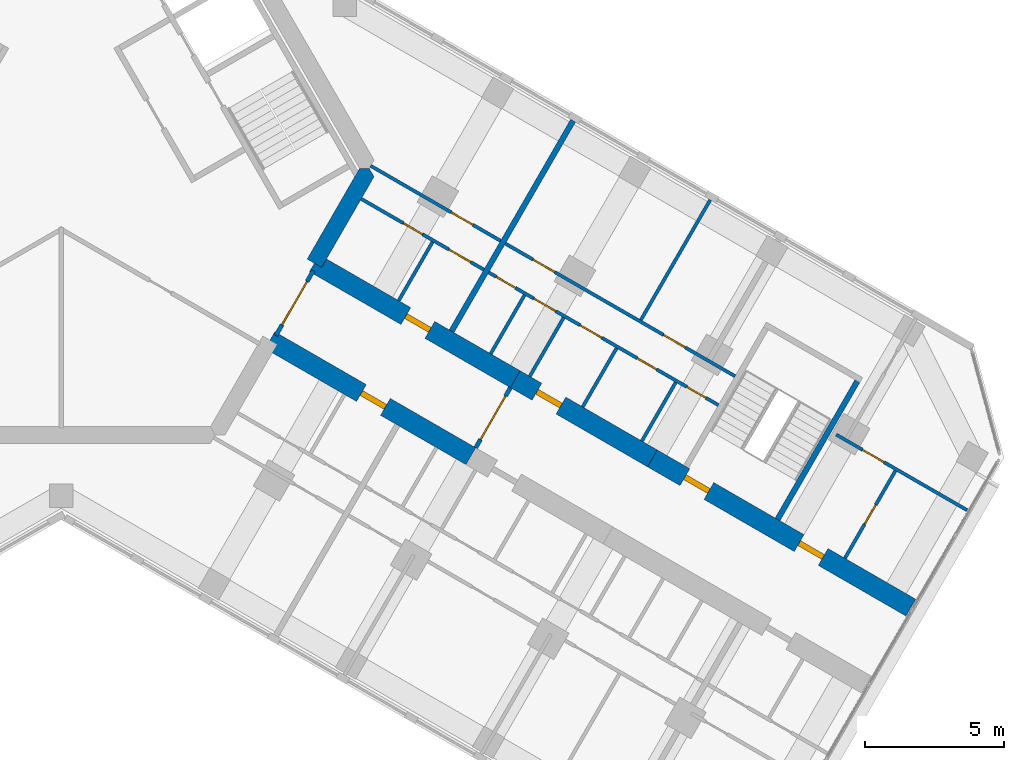
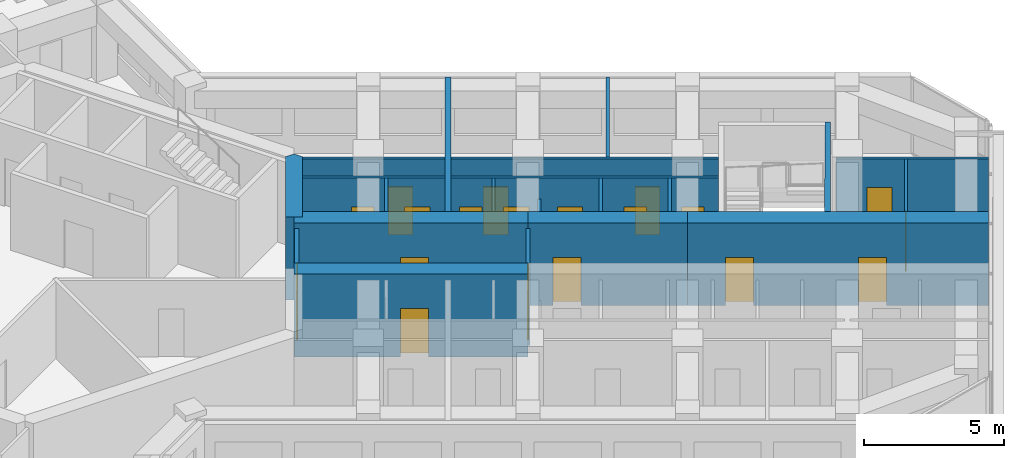
# One storey, part 12 of 16: 21 walls, 19 doors, 19 openings.
"""IFC4 building model written with IfcOpenShell, lengths in metres."""

from ifc_helpers import new_model, si_unit, direction, frame, frame_2d, origin, place, context, subcontext, project, spatial, polyline, rectangle, outline, extrude, material, layer, layer_set, type_object, element, fill, save


model = new_model("IFC4")

# Units and contexts
model_context = context("Model", 3, precision=1e-05, world=origin(), true_north=direction((0.0, 1.0)))
body_context = subcontext(model_context, "Body", "Model", "MODEL_VIEW")
ifc_project = project(units=[si_unit("LENGTHUNIT", "METRE"), si_unit("AREAUNIT", "SQUARE_METRE"), si_unit("VOLUMEUNIT", "CUBIC_METRE"), si_unit("PLANEANGLEUNIT", "RADIAN"), si_unit("MASSUNIT", "GRAM", prefix="KILO")], contexts=[model_context])

# Site, building, storey
site_placement = place(None, origin())
site = spatial("IfcSite", under=ifc_project, at=site_placement, CompositionType="ELEMENT")
building_placement = place(site_placement, origin())
building = spatial("IfcBuilding", under=site, at=building_placement, Name="Kosmar Iwan School Tower", CompositionType="ELEMENT")
storey_placement = place(building_placement, frame((0.0, 0.0, 246.0)))
storey = spatial("IfcBuildingStorey", under=building, at=storey_placement, Name="L62", CompositionType="ELEMENT", Elevation=246.0)

# Wall
ifc_material_1 = material(Name="Concrete C50/60", Category="concrete")
ifc_layer_1 = layer(ifc_material_1, 0.60009765625)
ifc_layer_set_1 = layer_set([ifc_layer_1], Name="Core wall 600")
wall_type_1 = type_object("IfcWallType", Name="Core wall 600", PredefinedType="SHEAR", material=ifc_layer_set_1)
wall_1_placement = place(storey_placement, origin())
element("IfcWall", 1, at=wall_1_placement, inside=storey, type_object=wall_type_1, Name="Core wall F330b", PredefinedType="SHEAR", context=body_context, shape_type="SweptSolid", body=[
    extrude(outline(polyline([(9.37353515625, -3.564453125), (11.25830078125, -0.300048828125), (11.085205078125, 0.0), (10.73876953125, 0.0), (8.85400390625, -3.264404296875), (9.37353515625, -3.564453125)])), origin(), (0.0, 0.0, 1.0), 3.60009765625),
])

# Wall, opening, door
ifc_material_2 = material(Name="Concrete C50/60", Category="concrete")
ifc_layer_2 = layer(ifc_material_2, 0.699951171875)
ifc_layer_set_2 = layer_set([ifc_layer_2], Name="Corridor buttress wall 700")
wall_type_2 = type_object("IfcWallType", Name="Corridor buttress wall 700", PredefinedType="SHEAR", material=ifc_layer_set_2)
wall_2_placement = place(storey_placement, frame((9.11376953125, -3.414306640625, 0.0), z_axis=(0.0, 0.0, 1.0), x_axis=(0.866026859388, -0.499997478812, 0.0)))
wall_2 = element("IfcWall", 2, at=wall_2_placement, inside=storey, type_object=wall_type_2, Name="Corridor wall CL", PredefinedType="SHEAR", context=body_context, shape_type="SweptSolid", body=[
    extrude(rectangle(XDim=8.35009765625, YDim=0.699951171875, at=frame_2d((4.175048828125, 0.0))), origin(), (0.0, 0.0, 1.0), 3.60009765625),
])
opening_1_placement = place(wall_2_placement, frame((3.800048828125, 0.0, 0.0)))
opening_1 = element("IfcOpeningElement", 3, at=opening_1_placement, cuts=wall_2, Name="Opening D1", PredefinedType="OPENING", context=body_context, shape_type="SweptSolid", body=[
    extrude(rectangle(XDim=1.0, YDim=2.10009765625, at=frame_2d((0.5, 1.050048828125))), frame((0.0, 0.362060546875, 0.0), z_axis=(0.0, -1.0, 0.0), x_axis=(1.0, 0.0, 0.0)), (0.0, 0.0, 1.0), 0.723876953125),
])
ifc_material_3 = material(Name="Timber fire door in steel frame", Category="steel")
door_type_1 = type_object("IfcDoorType", Name="Flat entrance door 1000x2100", OperationType="SINGLE_SWING_LEFT", PredefinedType="DOOR", material=ifc_material_3)
door_1_placement = place(opening_1_placement, origin())
door_1 = element("IfcDoor", 4, at=door_1_placement, inside=storey, type_object=door_type_1, Name="Flat L62-CL1 entrance door", OperationType="SINGLE_SWING_LEFT", OverallHeight=2.10009765625, OverallWidth=1.0, PredefinedType="DOOR", context=body_context, shape_type="SweptSolid", body=[
    extrude(rectangle(XDim=1.0, YDim=2.10009765625, at=frame_2d((0.5, 1.050048828125))), frame((0.0, 0.10009765625, 0.0), z_axis=(0.0, -1.0, 0.0), x_axis=(1.0, 0.0, 0.0)), (0.0, 0.0, 1.0), 0.199951171875),
])
fill(opening_1, door_1)

wall_3_placement = place(storey_placement, frame((16.34521484375, -7.58935546875, 0.0), z_axis=(0.0, 0.0, 1.0), x_axis=(0.866015111908, -0.50001782563, 0.0)))
wall_3 = element("IfcWall", 5, at=wall_3_placement, inside=storey, type_object=wall_type_2, Name="Corridor wall CL bay 2", PredefinedType="SHEAR", context=body_context, shape_type="SweptSolid", body=[
    extrude(rectangle(XDim=5.699951171875, YDim=0.699951171875, at=frame_2d((2.85009765625, 0.0))), origin(), (0.0, 0.0, 1.0), 3.60009765625),
])
opening_2_placement = place(wall_3_placement, frame((0.89990234375, 0.0, 0.0)))
opening_2 = element("IfcOpeningElement", 6, at=opening_2_placement, cuts=wall_3, Name="Opening D1", PredefinedType="OPENING", context=body_context, shape_type="SweptSolid", body=[
    extrude(rectangle(XDim=1.0, YDim=2.10009765625, at=frame_2d((0.5, 1.050048828125))), frame((0.0, 0.362060546875, 0.0), z_axis=(0.0, -1.0, 0.0), x_axis=(1.0, 0.0, 0.0)), (0.0, 0.0, 1.0), 0.723876953125),
])
door_2_placement = place(opening_2_placement, origin())
door_2 = element("IfcDoor", 7, at=door_2_placement, inside=storey, type_object=door_type_1, Name="Flat L62-CL2 entrance door", OperationType="SINGLE_SWING_LEFT", OverallHeight=2.10009765625, OverallWidth=1.0, PredefinedType="DOOR", context=body_context, shape_type="SweptSolid", body=[
    extrude(rectangle(XDim=1.0, YDim=2.10009765625, at=frame_2d((0.5, 1.050048828125))), frame((0.0, 0.10009765625, 0.0), z_axis=(0.0, -1.0, 0.0), x_axis=(1.0, 0.0, 0.0)), (0.0, 0.0, 1.0), 0.199951171875),
])
fill(opening_2, door_2)

# Wall, openings, doors
wall_4_placement = place(storey_placement, frame((21.281494140625, -10.439453125, 0.0), z_axis=(0.0, 0.0, 1.0), x_axis=(0.866032345022, -0.499987977232, 0.0)))
wall_4 = element("IfcWall", 8, at=wall_4_placement, inside=storey, type_object=wall_type_2, Name="Corridor wall CL bay 3", PredefinedType="SHEAR", context=body_context, shape_type="SweptSolid", body=[
    extrude(rectangle(XDim=10.744873046875, YDim=0.699951171875, at=frame_2d((5.37255859375, 0.0))), origin(), (0.0, 0.0, 1.0), 3.60009765625),
])
opening_3_placement = place(wall_4_placement, frame((6.10009765625, 0.0, 0.0)))
opening_3 = element("IfcOpeningElement", 9, at=opening_3_placement, cuts=wall_4, Name="Opening D1", PredefinedType="OPENING", context=body_context, shape_type="SweptSolid", body=[
    extrude(rectangle(XDim=1.0, YDim=2.10009765625, at=frame_2d((0.5, 1.050048828125))), frame((0.0, 0.362060546875, 0.0), z_axis=(0.0, -1.0, 0.0), x_axis=(1.0, 0.0, 0.0)), (0.0, 0.0, 1.0), 0.723876953125),
])
opening_4_placement = place(wall_4_placement, frame((1.35009765625, 0.0, 0.0)))
opening_4 = element("IfcOpeningElement", 10, at=opening_4_placement, cuts=wall_4, Name="Opening D6", PredefinedType="OPENING", context=body_context, shape_type="SweptSolid", body=[
    extrude(rectangle(XDim=1.0, YDim=2.10009765625, at=frame_2d((0.5, 1.050048828125))), frame((0.0, 0.362060546875, 0.0), z_axis=(0.0, -1.0, 0.0), x_axis=(1.0, 0.0, 0.0)), (0.0, 0.0, 1.0), 0.723876953125),
])
door_3_placement = place(opening_3_placement, origin())
door_3 = element("IfcDoor", 11, at=door_3_placement, inside=storey, type_object=door_type_1, Name="Flat L62-CL3 entrance door", OperationType="SINGLE_SWING_RIGHT", OverallHeight=2.10009765625, OverallWidth=1.0, PredefinedType="DOOR", context=body_context, shape_type="SweptSolid", body=[
    extrude(rectangle(XDim=1.0, YDim=2.10009765625, at=frame_2d((0.5, 1.050048828125))), frame((0.0, 0.10009765625, 0.0), z_axis=(0.0, -1.0, 0.0), x_axis=(1.0, 0.0, 0.0)), (0.0, 0.0, 1.0), 0.199951171875),
])
fill(opening_3, door_3)
ifc_material_4 = material(Name="Steel fire door", Category="steel")
door_type_2 = type_object("IfcDoorType", Name="Stair door 1000x2100", OperationType="SINGLE_SWING_LEFT", PredefinedType="DOOR", material=ifc_material_4)
door_4_placement = place(opening_4_placement, origin())
door_4 = element("IfcDoor", 12, at=door_4_placement, inside=storey, type_object=door_type_2, Name="Stair WS3 door L62", OperationType="SINGLE_SWING_LEFT", OverallHeight=2.10009765625, OverallWidth=1.0, PredefinedType="DOOR", context=body_context, shape_type="SweptSolid", body=[
    extrude(rectangle(XDim=1.0, YDim=2.10009765625, at=frame_2d((0.5, 1.050048828125))), frame((0.0, 0.10009765625, 0.0), z_axis=(0.0, -1.0, 0.0), x_axis=(1.0, 0.0, 0.0)), (0.0, 0.0, 1.0), 0.199951171875),
])
fill(opening_4, door_4)

# Wall, opening, door
wall_5_placement = place(storey_placement, frame((7.513916015625, -6.185546875, 0.0), z_axis=(0.0, 0.0, 1.0), x_axis=(0.866019549707, -0.500010139422, 0.0)))
wall_5 = element("IfcWall", 13, at=wall_5_placement, inside=storey, type_object=wall_type_2, Name="Corridor wall CR", PredefinedType="SHEAR", context=body_context, shape_type="SweptSolid", body=[
    extrude(rectangle(XDim=8.349853515625, YDim=0.699951171875, at=frame_2d((4.1748046875, 0.0))), origin(), (0.0, 0.0, 1.0), 3.60009765625),
])
opening_5_placement = place(wall_5_placement, frame((3.800048828125, 0.0, 0.0)))
opening_5 = element("IfcOpeningElement", 14, at=opening_5_placement, cuts=wall_5, Name="Opening D1", PredefinedType="OPENING", context=body_context, shape_type="SweptSolid", body=[
    extrude(rectangle(XDim=1.0, YDim=2.10009765625, at=frame_2d((0.5, 1.050048828125))), frame((0.0, 0.362060546875, 0.0), z_axis=(0.0, -1.0, 0.0), x_axis=(1.0, 0.0, 0.0)), (0.0, 0.0, 1.0), 0.723876953125),
])
door_5_placement = place(opening_5_placement, origin())
door_5 = element("IfcDoor", 15, at=door_5_placement, inside=storey, type_object=door_type_1, Name="Flat L62-CR1 entrance door", OperationType="SINGLE_SWING_RIGHT", OverallHeight=2.10009765625, OverallWidth=1.0, PredefinedType="DOOR", context=body_context, shape_type="SweptSolid", body=[
    extrude(rectangle(XDim=1.0, YDim=2.10009765625, at=frame_2d((0.5, 1.050048828125))), frame((0.0, 0.10009765625, 0.0), z_axis=(0.0, -1.0, 0.0), x_axis=(1.0, 0.0, 0.0)), (0.0, 0.0, 1.0), 0.199951171875),
])
fill(opening_5, door_5)

ifc_material_5 = material(Name="Gypsum board on steel studs, fire-rated", Category="steel")
ifc_layer_3 = layer(ifc_material_5, 0.14990234375)
ifc_layer_set_3 = layer_set([ifc_layer_3], Name="Corridor end wall 150")
wall_type_3 = type_object("IfcWallType", Name="Corridor end wall 150", PredefinedType="PARTITIONING", material=ifc_layer_set_3)
wall_6_placement = place(storey_placement, frame((14.920166015625, -10.0576171875, 0.0), z_axis=(0.0, 0.0, 1.0), x_axis=(0.500004234368, 0.866022959057, 0.0)))
wall_6 = element("IfcWall", 16, at=wall_6_placement, inside=storey, type_object=wall_type_3, Name="Partition L62-C-HW", PredefinedType="PARTITIONING", context=body_context, shape_type="SweptSolid", body=[
    extrude(rectangle(XDim=2.5, YDim=0.14990234375, at=frame_2d((1.25, 0.0))), origin(), (0.0, 0.0, 1.0), 3.35009765625),
])
opening_6_placement = place(wall_6_placement, frame((0.35009765625, 0.0, 0.0)))
opening_6 = element("IfcOpeningElement", 17, at=opening_6_placement, cuts=wall_6, Name="Opening D9", PredefinedType="OPENING", context=body_context, shape_type="SweptSolid", body=[
    extrude(rectangle(XDim=1.800048828125, YDim=2.10009765625, at=frame_2d((0.89990234375, 1.050048828125))), frame((0.0, 0.0869140625, 0.0), z_axis=(0.0, -1.0, 0.0), x_axis=(1.0, 0.0, 0.0)), (0.0, 0.0, 1.0), 0.173828125),
])
ifc_material_6 = material(Name="Steel framed glazed smoke door", Category="steel")
door_type_3 = type_object("IfcDoorType", Name="Corridor smoke door pair 1800x2100", OperationType="DOUBLE_DOOR_DOUBLE_SWING", PredefinedType="DOOR", material=ifc_material_6)
door_6_placement = place(opening_6_placement, origin())
door_6 = element("IfcDoor", 18, at=door_6_placement, inside=storey, type_object=door_type_3, Name="Entrance vestibule smoke doors L62-C", OperationType="DOUBLE_DOOR_DOUBLE_SWING", OverallHeight=2.10009765625, OverallWidth=1.800048828125, PredefinedType="DOOR", context=body_context, shape_type="SweptSolid", body=[
    extrude(rectangle(XDim=1.800048828125, YDim=2.10009765625, at=frame_2d((0.89990234375, 1.050048828125))), frame((0.0, 0.02490234375, 0.0), z_axis=(0.0, -1.0, 0.0), x_axis=(1.0, 0.0, 0.0)), (0.0, 0.0, 1.0), 0.050048828125),
])
fill(opening_6, door_6)

ifc_material_7 = material(Name="Steel framed glazed screen", Category="steel")
ifc_layer_4 = layer(ifc_material_7, 0.14990234375)
ifc_layer_set_4 = layer_set([ifc_layer_4], Name="Corridor screen wall 150")
wall_type_4 = type_object("IfcWallType", Name="Corridor screen wall 150", PredefinedType="PARTITIONING", material=ifc_layer_set_4)
wall_7_placement = place(storey_placement, frame((7.725341796875, -6.01904296875, 0.0), z_axis=(0.0, 0.0, 1.0), x_axis=(0.500048589285, 0.86599734893, 0.0)))
wall_7 = element("IfcWall", 19, at=wall_7_placement, inside=storey, type_object=wall_type_4, Name="Corridor screen C L62", PredefinedType="PARTITIONING", context=body_context, shape_type="SweptSolid", body=[
    extrude(rectangle(XDim=2.699951171875, YDim=0.14990234375, at=frame_2d((1.35009765625, 0.0))), origin(), (0.0, 0.0, 1.0), 3.35009765625),
])
opening_7_placement = place(wall_7_placement, frame((0.449951171875, 0.0, 0.0)))
opening_7 = element("IfcOpeningElement", 20, at=opening_7_placement, cuts=wall_7, Name="Opening D9", PredefinedType="OPENING", context=body_context, shape_type="SweptSolid", body=[
    extrude(rectangle(XDim=1.800048828125, YDim=2.10009765625, at=frame_2d((0.89990234375, 1.050048828125))), frame((0.0, 0.0869140625, 0.0), z_axis=(0.0, -1.0, 0.0), x_axis=(1.0, 0.0, 0.0)), (0.0, 0.0, 1.0), 0.173828125),
])
door_7_placement = place(opening_7_placement, origin())
door_7 = element("IfcDoor", 21, at=door_7_placement, inside=storey, type_object=door_type_3, Name="Corridor doors C L62", OperationType="DOUBLE_DOOR_DOUBLE_SWING", OverallHeight=2.10009765625, OverallWidth=1.800048828125, PredefinedType="DOOR", context=body_context, shape_type="SweptSolid", body=[
    extrude(rectangle(XDim=1.800048828125, YDim=2.10009765625, at=frame_2d((0.89990234375, 1.050048828125))), frame((0.0, 0.02490234375, 0.0), z_axis=(0.0, -1.0, 0.0), x_axis=(1.0, 0.0, 0.0)), (0.0, 0.0, 1.0), 0.050048828125),
])
fill(opening_7, door_7)

# Wall, openings, doors
ifc_material_8 = material(Name="Gypsum board on steel studs", Category="steel")
ifc_layer_5 = layer(ifc_material_8, 0.1201171875)
ifc_layer_set_5 = layer_set([ifc_layer_5], Name="Dwelling partition 120")
wall_type_5 = type_object("IfcWallType", Name="Dwelling partition 120", PredefinedType="PARTITIONING", material=ifc_layer_set_5)
wall_8_placement = place(storey_placement, frame((10.798583984375, -1.09619140625, 0.0), z_axis=(0.0, 0.0, 1.0), x_axis=(0.86602216432, -0.500005610874, 0.0)))
wall_8 = element("IfcWall", 22, at=wall_8_placement, inside=storey, type_object=wall_type_5, Name="Partition L62-CL1-W1", PredefinedType="PARTITIONING", context=body_context, shape_type="SweptSolid", body=[
    extrude(rectangle(XDim=5.10009765625, YDim=0.1201171875, at=frame_2d((2.550048828125, 0.0))), origin(), (0.0, 0.0, 1.0), 3.35009765625),
])
opening_8_placement = place(wall_8_placement, frame((1.75, 0.0, 0.0)))
opening_8 = element("IfcOpeningElement", 23, at=opening_8_placement, cuts=wall_8, Name="Opening D3", PredefinedType="OPENING", context=body_context, shape_type="SweptSolid", body=[
    extrude(rectangle(XDim=0.800048828125, YDim=2.10009765625, at=frame_2d((0.39990234375, 1.050048828125))), frame((0.0, 0.072021484375, 0.0), z_axis=(0.0, -1.0, 0.0), x_axis=(1.0, 0.0, 0.0)), (0.0, 0.0, 1.0), 0.14404296875),
])
opening_9_placement = place(wall_8_placement, frame((3.64990234375, 0.0, 0.0)))
opening_9 = element("IfcOpeningElement", 24, at=opening_9_placement, cuts=wall_8, Name="Opening D2", PredefinedType="OPENING", context=body_context, shape_type="SweptSolid", body=[
    extrude(rectangle(XDim=0.89990234375, YDim=2.10009765625, at=frame_2d((0.449951171875, 1.050048828125))), frame((0.0, 0.072021484375, 0.0), z_axis=(0.0, -1.0, 0.0), x_axis=(1.0, 0.0, 0.0)), (0.0, 0.0, 1.0), 0.14404296875),
])
ifc_material_9 = material(Name="Timber door in timber frame", Category="wood")
door_type_4 = type_object("IfcDoorType", Name="Internal door 900x2100", OperationType="SINGLE_SWING_LEFT", PredefinedType="DOOR", material=ifc_material_9)
door_8_placement = place(opening_9_placement, origin())
door_8 = element("IfcDoor", 25, at=door_8_placement, inside=storey, type_object=door_type_4, Name="Entrance hall door L62-CL1-S2", OperationType="SINGLE_SWING_RIGHT", OverallHeight=2.10009765625, OverallWidth=0.89990234375, PredefinedType="DOOR", context=body_context, shape_type="SweptSolid", body=[
    extrude(rectangle(XDim=0.89990234375, YDim=2.10009765625, at=frame_2d((0.449951171875, 1.050048828125))), frame((0.0, 0.02490234375, 0.0), z_axis=(0.0, -1.0, 0.0), x_axis=(1.0, 0.0, 0.0)), (0.0, 0.0, 1.0), 0.050048828125),
])
fill(opening_9, door_8)
ifc_material_10 = material(Name="Timber door in timber frame", Category="wood")
door_type_5 = type_object("IfcDoorType", Name="Sanitary room door 800x2100", OperationType="SINGLE_SWING_LEFT", PredefinedType="DOOR", material=ifc_material_10)
door_9_placement = place(opening_8_placement, origin())
door_9 = element("IfcDoor", 26, at=door_9_placement, inside=storey, type_object=door_type_5, Name="Bathroom door L62-CL1-S1", OperationType="SINGLE_SWING_LEFT", OverallHeight=2.10009765625, OverallWidth=0.800048828125, PredefinedType="DOOR", context=body_context, shape_type="SweptSolid", body=[
    extrude(rectangle(XDim=0.800048828125, YDim=2.10009765625, at=frame_2d((0.39990234375, 1.050048828125))), frame((0.0, 0.02490234375, 0.0), z_axis=(0.0, -1.0, 0.0), x_axis=(1.0, 0.0, 0.0)), (0.0, 0.0, 1.0), 0.050048828125),
])
fill(opening_8, door_9)

# Wall, opening, door
wall_9_placement = place(storey_placement, frame((11.138916015625, 0.093017578125, 0.0), z_axis=(0.0, 0.0, 1.0), x_axis=(0.866028230842, -0.499995103361, 0.0)))
wall_9 = element("IfcWall", 27, at=wall_9_placement, inside=storey, type_object=wall_type_5, Name="Partition L62-CL1-W2", PredefinedType="PARTITIONING", context=body_context, shape_type="SweptSolid", body=[
    extrude(rectangle(XDim=5.39990234375, YDim=0.1201171875, at=frame_2d((2.699951171875, 0.0))), origin(), (0.0, 0.0, 1.0), 3.35009765625),
])
opening_10_placement = place(wall_9_placement, frame((3.35009765625, 0.0, 0.0)))
opening_10 = element("IfcOpeningElement", 28, at=opening_10_placement, cuts=wall_9, Name="Opening D2", PredefinedType="OPENING", context=body_context, shape_type="SweptSolid", body=[
    extrude(rectangle(XDim=0.89990234375, YDim=2.10009765625, at=frame_2d((0.449951171875, 1.050048828125))), frame((0.0, 0.072021484375, 0.0), z_axis=(0.0, -1.0, 0.0), x_axis=(1.0, 0.0, 0.0)), (0.0, 0.0, 1.0), 0.14404296875),
])
door_10_placement = place(opening_10_placement, origin())
door_10 = element("IfcDoor", 29, at=door_10_placement, inside=storey, type_object=door_type_4, Name="Studio living room and kitchen door L62-CL1-F1", OperationType="SINGLE_SWING_RIGHT", OverallHeight=2.10009765625, OverallWidth=0.89990234375, PredefinedType="DOOR", context=body_context, shape_type="SweptSolid", body=[
    extrude(rectangle(XDim=0.89990234375, YDim=2.10009765625, at=frame_2d((0.449951171875, 1.050048828125))), frame((0.0, 0.02490234375, 0.0), z_axis=(0.0, -1.0, 0.0), x_axis=(1.0, 0.0, 0.0)), (0.0, 0.0, 1.0), 0.050048828125),
])
fill(opening_10, door_10)

# Wall
wall_10_placement = place(storey_placement, frame((12.146728515625, -4.76123046875, 0.0), z_axis=(0.0, 0.0, 1.0), x_axis=(0.500002508028, 0.866023955769, 0.0)))
element("IfcWall", 30, at=wall_10_placement, inside=storey, type_object=wall_type_5, Name="Partition L62-CL1-Y1", PredefinedType="PARTITIONING", context=body_context, shape_type="SweptSolid", body=[
    extrude(rectangle(XDim=2.43994140625, YDim=0.1201171875, at=frame_2d((1.219970703125, 0.0))), origin(), (0.0, 0.0, 1.0), 3.35009765625),
])

# Wall, openings, doors
wall_11_placement = place(storey_placement, frame((15.388671875, -3.74609375, 0.0), z_axis=(0.0, 0.0, 1.0), x_axis=(0.866017851049, -0.500013081493, 0.0)))
wall_11 = element("IfcWall", 31, at=wall_11_placement, inside=storey, type_object=wall_type_5, Name="Partition L62-CL2-W1", PredefinedType="PARTITIONING", context=body_context, shape_type="SweptSolid", body=[
    extrude(rectangle(XDim=9.550048828125, YDim=0.1201171875, at=frame_2d((4.77490234375, 0.0))), origin(), (0.0, 0.0, 1.0), 3.35009765625),
])
opening_11_placement = place(wall_11_placement, frame((0.3125, 0.0, 0.0)))
opening_11 = element("IfcOpeningElement", 32, at=opening_11_placement, cuts=wall_11, Name="Opening D3", PredefinedType="OPENING", context=body_context, shape_type="SweptSolid", body=[
    extrude(rectangle(XDim=0.800048828125, YDim=2.10009765625, at=frame_2d((0.39990234375, 1.050048828125))), frame((0.0, 0.072021484375, 0.0), z_axis=(0.0, -1.0, 0.0), x_axis=(1.0, 0.0, 0.0)), (0.0, 0.0, 1.0), 0.14404296875),
])
opening_12_placement = place(wall_11_placement, frame((1.887451171875, 0.0, 0.0)))
opening_12 = element("IfcOpeningElement", 33, at=opening_12_placement, cuts=wall_11, Name="Opening D2", PredefinedType="OPENING", context=body_context, shape_type="SweptSolid", body=[
    extrude(rectangle(XDim=0.89990234375, YDim=2.10009765625, at=frame_2d((0.449951171875, 1.050048828125))), frame((0.0, 0.072021484375, 0.0), z_axis=(0.0, -1.0, 0.0), x_axis=(1.0, 0.0, 0.0)), (0.0, 0.0, 1.0), 0.14404296875),
])
opening_13_placement = place(wall_11_placement, frame((3.800048828125, 0.0, 0.0)))
opening_13 = element("IfcOpeningElement", 34, at=opening_13_placement, cuts=wall_11, Name="Opening D2", PredefinedType="OPENING", context=body_context, shape_type="SweptSolid", body=[
    extrude(rectangle(XDim=0.89990234375, YDim=2.10009765625, at=frame_2d((0.449951171875, 1.050048828125))), frame((0.0, 0.072021484375, 0.0), z_axis=(0.0, -1.0, 0.0), x_axis=(1.0, 0.0, 0.0)), (0.0, 0.0, 1.0), 0.14404296875),
])
opening_14_placement = place(wall_11_placement, frame((6.179931640625, 0.0, 0.0)))
opening_14 = element("IfcOpeningElement", 35, at=opening_14_placement, cuts=wall_11, Name="Opening D3", PredefinedType="OPENING", context=body_context, shape_type="SweptSolid", body=[
    extrude(rectangle(XDim=0.800048828125, YDim=2.10009765625, at=frame_2d((0.39990234375, 1.050048828125))), frame((0.0, 0.072021484375, 0.0), z_axis=(0.0, -1.0, 0.0), x_axis=(1.0, 0.0, 0.0)), (0.0, 0.0, 1.0), 0.14404296875),
])
opening_15_placement = place(wall_11_placement, frame((8.22998046875, 0.0, 0.0)))
opening_15 = element("IfcOpeningElement", 36, at=opening_15_placement, cuts=wall_11, Name="Opening D3", PredefinedType="OPENING", context=body_context, shape_type="SweptSolid", body=[
    extrude(rectangle(XDim=0.800048828125, YDim=2.10009765625, at=frame_2d((0.39990234375, 1.050048828125))), frame((0.0, 0.072021484375, 0.0), z_axis=(0.0, -1.0, 0.0), x_axis=(1.0, 0.0, 0.0)), (0.0, 0.0, 1.0), 0.14404296875),
])
door_11_placement = place(opening_12_placement, origin())
door_11 = element("IfcDoor", 37, at=door_11_placement, inside=storey, type_object=door_type_4, Name="Pantry door L62-CL2-S2", OperationType="SINGLE_SWING_LEFT", OverallHeight=2.10009765625, OverallWidth=0.89990234375, PredefinedType="DOOR", context=body_context, shape_type="SweptSolid", body=[
    extrude(rectangle(XDim=0.89990234375, YDim=2.10009765625, at=frame_2d((0.449951171875, 1.050048828125))), frame((0.0, 0.02490234375, 0.0), z_axis=(0.0, -1.0, 0.0), x_axis=(1.0, 0.0, 0.0)), (0.0, 0.0, 1.0), 0.050048828125),
])
fill(opening_12, door_11)
door_12_placement = place(opening_13_placement, origin())
door_12 = element("IfcDoor", 38, at=door_12_placement, inside=storey, type_object=door_type_4, Name="Entrance hall door L62-CL2-S3", OperationType="SINGLE_SWING_LEFT", OverallHeight=2.10009765625, OverallWidth=0.89990234375, PredefinedType="DOOR", context=body_context, shape_type="SweptSolid", body=[
    extrude(rectangle(XDim=0.89990234375, YDim=2.10009765625, at=frame_2d((0.449951171875, 1.050048828125))), frame((0.0, 0.02490234375, 0.0), z_axis=(0.0, -1.0, 0.0), x_axis=(1.0, 0.0, 0.0)), (0.0, 0.0, 1.0), 0.050048828125),
])
fill(opening_13, door_12)
door_13_placement = place(opening_11_placement, origin())
door_13 = element("IfcDoor", 39, at=door_13_placement, inside=storey, type_object=door_type_5, Name="Store door L62-CL2-S1", OperationType="SINGLE_SWING_LEFT", OverallHeight=2.10009765625, OverallWidth=0.800048828125, PredefinedType="DOOR", context=body_context, shape_type="SweptSolid", body=[
    extrude(rectangle(XDim=0.800048828125, YDim=2.10009765625, at=frame_2d((0.39990234375, 1.050048828125))), frame((0.0, 0.02490234375, 0.0), z_axis=(0.0, -1.0, 0.0), x_axis=(1.0, 0.0, 0.0)), (0.0, 0.0, 1.0), 0.050048828125),
])
fill(opening_11, door_13)
door_14_placement = place(opening_14_placement, origin())
door_14 = element("IfcDoor", 40, at=door_14_placement, inside=storey, type_object=door_type_5, Name="Bathroom door L62-CL2-S4", OperationType="SINGLE_SWING_RIGHT", OverallHeight=2.10009765625, OverallWidth=0.800048828125, PredefinedType="DOOR", context=body_context, shape_type="SweptSolid", body=[
    extrude(rectangle(XDim=0.800048828125, YDim=2.10009765625, at=frame_2d((0.39990234375, 1.050048828125))), frame((0.0, 0.02490234375, 0.0), z_axis=(0.0, -1.0, 0.0), x_axis=(1.0, 0.0, 0.0)), (0.0, 0.0, 1.0), 0.050048828125),
])
fill(opening_14, door_14)
door_15_placement = place(opening_15_placement, origin())
door_15 = element("IfcDoor", 41, at=door_15_placement, inside=storey, type_object=door_type_5, Name="WC door L62-CL2-S5", OperationType="SINGLE_SWING_RIGHT", OverallHeight=2.10009765625, OverallWidth=0.800048828125, PredefinedType="DOOR", context=body_context, shape_type="SweptSolid", body=[
    extrude(rectangle(XDim=0.800048828125, YDim=2.10009765625, at=frame_2d((0.39990234375, 1.050048828125))), frame((0.0, 0.02490234375, 0.0), z_axis=(0.0, -1.0, 0.0), x_axis=(1.0, 0.0, 0.0)), (0.0, 0.0, 1.0), 0.050048828125),
])
fill(opening_15, door_15)

wall_12_placement = place(storey_placement, frame((15.988525390625, -2.70703125, 0.0), z_axis=(0.0, 0.0, 1.0), x_axis=(0.866028920859, -0.499993908199, 0.0)))
wall_12 = element("IfcWall", 42, at=wall_12_placement, inside=storey, type_object=wall_type_5, Name="Partition L62-CL2-W2", PredefinedType="PARTITIONING", context=body_context, shape_type="SweptSolid", body=[
    extrude(rectangle(XDim=9.5498046875, YDim=0.1201171875, at=frame_2d((4.77490234375, 0.0))), origin(), (0.0, 0.0, 1.0), 3.35009765625),
])
opening_16_placement = place(wall_12_placement, frame((1.14990234375, 0.0, 0.0)))
opening_16 = element("IfcOpeningElement", 43, at=opening_16_placement, cuts=wall_12, Name="Opening D2", PredefinedType="OPENING", context=body_context, shape_type="SweptSolid", body=[
    extrude(rectangle(XDim=0.89990234375, YDim=2.10009765625, at=frame_2d((0.449951171875, 1.050048828125))), frame((0.0, 0.072021484375, 0.0), z_axis=(0.0, -1.0, 0.0), x_axis=(1.0, 0.0, 0.0)), (0.0, 0.0, 1.0), 0.14404296875),
])
opening_17_placement = place(wall_12_placement, frame((6.574951171875, 0.0, 0.0)))
opening_17 = element("IfcOpeningElement", 44, at=opening_17_placement, cuts=wall_12, Name="Opening D2", PredefinedType="OPENING", context=body_context, shape_type="SweptSolid", body=[
    extrude(rectangle(XDim=0.89990234375, YDim=2.10009765625, at=frame_2d((0.449951171875, 1.050048828125))), frame((0.0, 0.072021484375, 0.0), z_axis=(0.0, -1.0, 0.0), x_axis=(1.0, 0.0, 0.0)), (0.0, 0.0, 1.0), 0.14404296875),
])
door_16_placement = place(opening_16_placement, origin())
door_16 = element("IfcDoor", 45, at=door_16_placement, inside=storey, type_object=door_type_4, Name="Living room and kitchen door L62-CL2-F1", OperationType="SINGLE_SWING_LEFT", OverallHeight=2.10009765625, OverallWidth=0.89990234375, PredefinedType="DOOR", context=body_context, shape_type="SweptSolid", body=[
    extrude(rectangle(XDim=0.89990234375, YDim=2.10009765625, at=frame_2d((0.449951171875, 1.050048828125))), frame((0.0, 0.02490234375, 0.0), z_axis=(0.0, -1.0, 0.0), x_axis=(1.0, 0.0, 0.0)), (0.0, 0.0, 1.0), 0.050048828125),
])
fill(opening_16, door_16)
door_17_placement = place(opening_17_placement, origin())
door_17 = element("IfcDoor", 46, at=door_17_placement, inside=storey, type_object=door_type_4, Name="Bedroom 1 door L62-CL2-F2", OperationType="SINGLE_SWING_LEFT", OverallHeight=2.10009765625, OverallWidth=0.89990234375, PredefinedType="DOOR", context=body_context, shape_type="SweptSolid", body=[
    extrude(rectangle(XDim=0.89990234375, YDim=2.10009765625, at=frame_2d((0.449951171875, 1.050048828125))), frame((0.0, 0.02490234375, 0.0), z_axis=(0.0, -1.0, 0.0), x_axis=(1.0, 0.0, 0.0)), (0.0, 0.0, 1.0), 0.050048828125),
])
fill(opening_17, door_17)

# Walls
wall_13_placement = place(storey_placement, frame((20.868408203125, -5.455078125, 0.0), z_axis=(0.0, 0.0, 1.0), x_axis=(0.499975153383, 0.86603974851, 0.0)))
element("IfcWall", 47, at=wall_13_placement, inside=storey, type_object=wall_type_5, Name="Partition L62-CL2-X1", PredefinedType="PARTITIONING", context=body_context, shape_type="SweptSolid", body=[
    extrude(rectangle(XDim=4.989990234375, YDim=0.1201171875, at=frame_2d((2.4951171875, 0.0))), origin(), (0.0, 0.0, 1.0), 3.35009765625),
])
wall_14_placement = place(storey_placement, frame((15.459228515625, -6.673828125, 0.0), z_axis=(0.0, 0.0, 1.0), x_axis=(0.499959183527, 0.866048967903, 0.0)))
element("IfcWall", 48, at=wall_14_placement, inside=storey, type_object=wall_type_5, Name="Partition L62-CL2-Y1", PredefinedType="PARTITIONING", context=body_context, shape_type="SweptSolid", body=[
    extrude(rectangle(XDim=2.440185546875, YDim=0.1201171875, at=frame_2d((1.22021484375, 0.0))), origin(), (0.0, 0.0, 1.0), 3.35009765625),
])
wall_15_placement = place(storey_placement, frame((16.866455078125, -7.486328125, 0.0), z_axis=(0.0, 0.0, 1.0), x_axis=(0.500034220881, 0.866005645448, 0.0)))
element("IfcWall", 49, at=wall_15_placement, inside=storey, type_object=wall_type_5, Name="Partition L62-CL2-Y2", PredefinedType="PARTITIONING", context=body_context, shape_type="SweptSolid", body=[
    extrude(rectangle(XDim=2.440185546875, YDim=0.1201171875, at=frame_2d((1.22021484375, 0.0))), origin(), (0.0, 0.0, 1.0), 2.449951171875),
])
for number, where, z_axis, x_axis, name in (
    (50, (18.771728515625, -8.586181640625, 0.0), (0.0, 0.0, 1.0), (0.500077547548, 0.865980627057, 0.0), "Partition L62-CL2-Y3"),
    (51, (20.90234375, -9.816162109375, 0.0), (0.0, 0.0, 1.0), (0.500002508028, 0.866023955769, 0.0), "Partition L62-CL2-Y4"),
):
    element("IfcWall", number, at=place(storey_placement, frame(where, z_axis=z_axis, x_axis=x_axis)), inside=storey, type_object=wall_type_5, Name=name, PredefinedType="PARTITIONING", context=body_context, shape_type="SweptSolid", body=[
        extrude(rectangle(XDim=2.43994140625, YDim=0.1201171875, at=frame_2d((1.219970703125, 0.0))), origin(), (0.0, 0.0, 1.0), 3.35009765625),
    ])

# Wall, opening, door
wall_16_placement = place(storey_placement, frame((27.896484375, -9.58203125, 0.0), z_axis=(0.0, 0.0, 1.0), x_axis=(0.866035508231, -0.499982498177, 0.0)))
wall_16 = element("IfcWall", 52, at=wall_16_placement, inside=storey, type_object=wall_type_5, Name="Partition L62-CL3-TW", PredefinedType="PARTITIONING", context=body_context, shape_type="SweptSolid", body=[
    extrude(rectangle(XDim=5.445068359375, YDim=0.1201171875, at=frame_2d((2.72265625, 0.0))), origin(), (0.0, 0.0, 1.0), 3.35009765625),
])
opening_18_placement = place(wall_16_placement, frame((1.10009765625, 0.0, 0.0)))
opening_18 = element("IfcOpeningElement", 53, at=opening_18_placement, cuts=wall_16, Name="Opening D2", PredefinedType="OPENING", context=body_context, shape_type="SweptSolid", body=[
    extrude(rectangle(XDim=0.89990234375, YDim=2.10009765625, at=frame_2d((0.449951171875, 1.050048828125))), frame((0.0, 0.072021484375, 0.0), z_axis=(0.0, -1.0, 0.0), x_axis=(1.0, 0.0, 0.0)), (0.0, 0.0, 1.0), 0.14404296875),
])
door_18_placement = place(opening_18_placement, origin())
door_18 = element("IfcDoor", 54, at=door_18_placement, inside=storey, type_object=door_type_4, Name="Entrance hall door L62-CL3-T3", OperationType="SINGLE_SWING_LEFT", OverallHeight=2.10009765625, OverallWidth=0.89990234375, PredefinedType="DOOR", context=body_context, shape_type="SweptSolid", body=[
    extrude(rectangle(XDim=0.89990234375, YDim=2.10009765625, at=frame_2d((0.449951171875, 1.050048828125))), frame((0.0, 0.02490234375, 0.0), z_axis=(0.0, -1.0, 0.0), x_axis=(1.0, 0.0, 0.0)), (0.0, 0.0, 1.0), 0.050048828125),
])
fill(opening_18, door_18)

wall_17_placement = place(storey_placement, frame((28.21142578125, -14.036376953125, 0.0), z_axis=(0.0, 0.0, 1.0), x_axis=(0.499983701346, 0.866034813612, 0.0)))
wall_17 = element("IfcWall", 55, at=wall_17_placement, inside=storey, type_object=wall_type_5, Name="Partition L62-CL3-TY", PredefinedType="PARTITIONING", context=body_context, shape_type="SweptSolid", body=[
    extrude(rectangle(XDim=3.64013671875, YDim=0.1201171875, at=frame_2d((1.820068359375, 0.0))), origin(), (0.0, 0.0, 1.0), 3.35009765625),
])
opening_19_placement = place(wall_17_placement, frame((1.419921875, 0.0, 0.0)))
opening_19 = element("IfcOpeningElement", 56, at=opening_19_placement, cuts=wall_17, Name="Opening D3", PredefinedType="OPENING", context=body_context, shape_type="SweptSolid", body=[
    extrude(rectangle(XDim=0.800048828125, YDim=2.10009765625, at=frame_2d((0.39990234375, 1.050048828125))), frame((0.0, 0.072021484375, 0.0), z_axis=(0.0, -1.0, 0.0), x_axis=(1.0, 0.0, 0.0)), (0.0, 0.0, 1.0), 0.14404296875),
])
door_19_placement = place(opening_19_placement, origin())
door_19 = element("IfcDoor", 57, at=door_19_placement, inside=storey, type_object=door_type_5, Name="Bathroom door L62-CL3-T4", OperationType="SINGLE_SWING_RIGHT", OverallHeight=2.10009765625, OverallWidth=0.800048828125, PredefinedType="DOOR", context=body_context, shape_type="SweptSolid", body=[
    extrude(rectangle(XDim=0.800048828125, YDim=2.10009765625, at=frame_2d((0.39990234375, 1.050048828125))), frame((0.0, 0.02490234375, 0.0), z_axis=(0.0, -1.0, 0.0), x_axis=(1.0, 0.0, 0.0)), (0.0, 0.0, 1.0), 0.050048828125),
])
fill(opening_19, door_19)

# Walls
ifc_material_11 = material(Name="Concrete C35/45", Category="concrete")
ifc_layer_6 = layer(ifc_material_11, 0.199951171875)
ifc_layer_set_6 = layer_set([ifc_layer_6], Name="Escape stair wall 200")
wall_type_6 = type_object("IfcWallType", Name="Escape stair wall 200", PredefinedType="SHEAR", material=ifc_layer_set_6)
wall_18_placement = place(storey_placement, frame((25.78662109375, -12.63623046875, 0.0), z_axis=(0.0, 0.0, 1.0), x_axis=(0.500013701029, 0.866017493347, 0.0)))
element("IfcWall", 58, at=wall_18_placement, inside=storey, type_object=wall_type_6, Name="Stair WS3 wall", PredefinedType="SHEAR", context=body_context, shape_type="SweptSolid", body=[
    extrude(rectangle(XDim=5.949951171875, YDim=0.199951171875, at=frame_2d((2.97509765625, 0.0))), origin(), (0.0, 0.0, 1.0), 3.330078125),
])
ifc_material_12 = material(Name="Concrete block masonry", Category="masonry")
ifc_layer_7 = layer(ifc_material_12, 0.199951171875)
ifc_layer_set_7 = layer_set([ifc_layer_7], Name="Party wall 200")
wall_type_7 = type_object("IfcWallType", Name="Party wall 200", PredefinedType="PARTITIONING", material=ifc_layer_set_7)
wall_19_placement = place(storey_placement, frame((14.052001953125, -5.861328125, 0.0), z_axis=(0.0, 0.0, 1.0), x_axis=(0.499992152613, 0.866029934428, 0.0)))
element("IfcWall", 59, at=wall_19_placement, inside=storey, type_object=wall_type_7, Name="Partition L62-CL2-PW", PredefinedType="PARTITIONING", context=body_context, shape_type="SweptSolid", body=[
    extrude(rectangle(XDim=8.750244140625, YDim=0.199951171875, at=frame_2d((4.375, 0.0))), origin(), (0.0, 0.0, 1.0), 3.35009765625),
])

save(model, "model.ifc")
